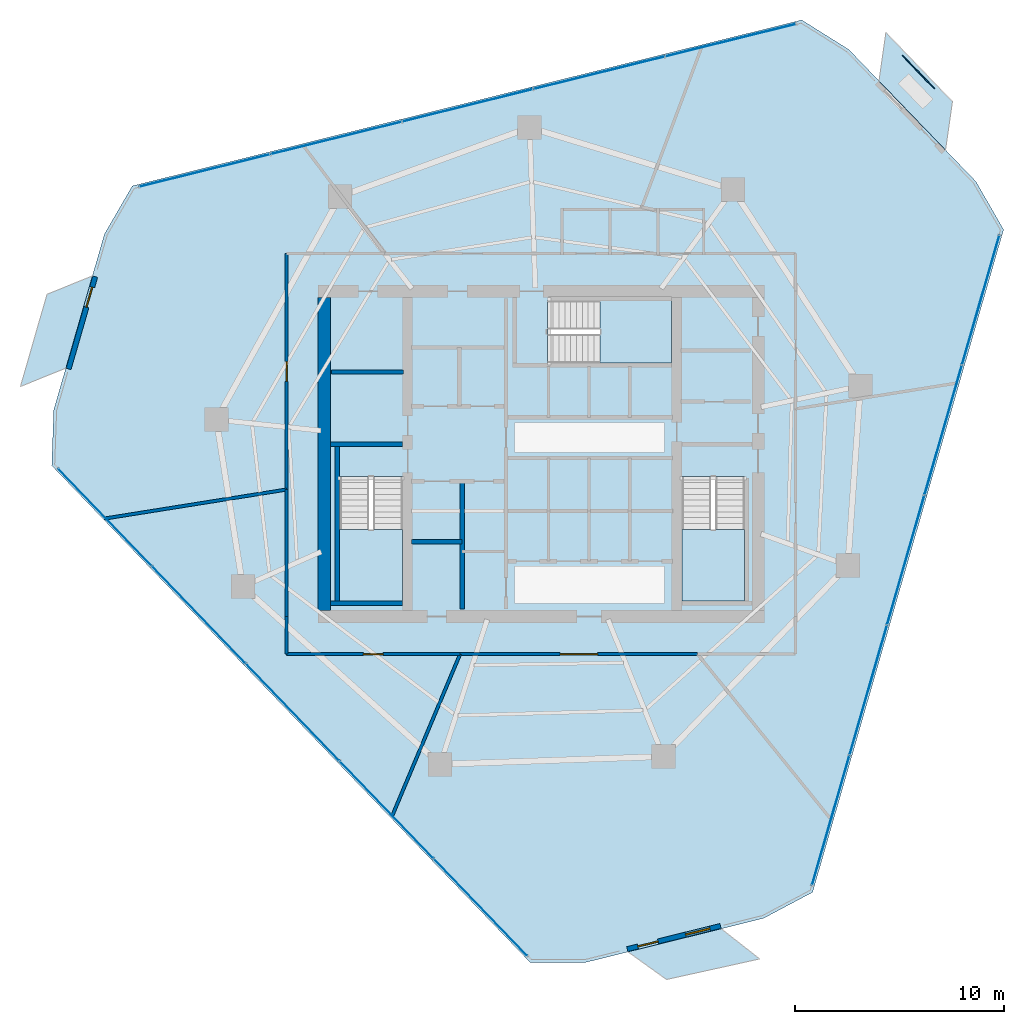
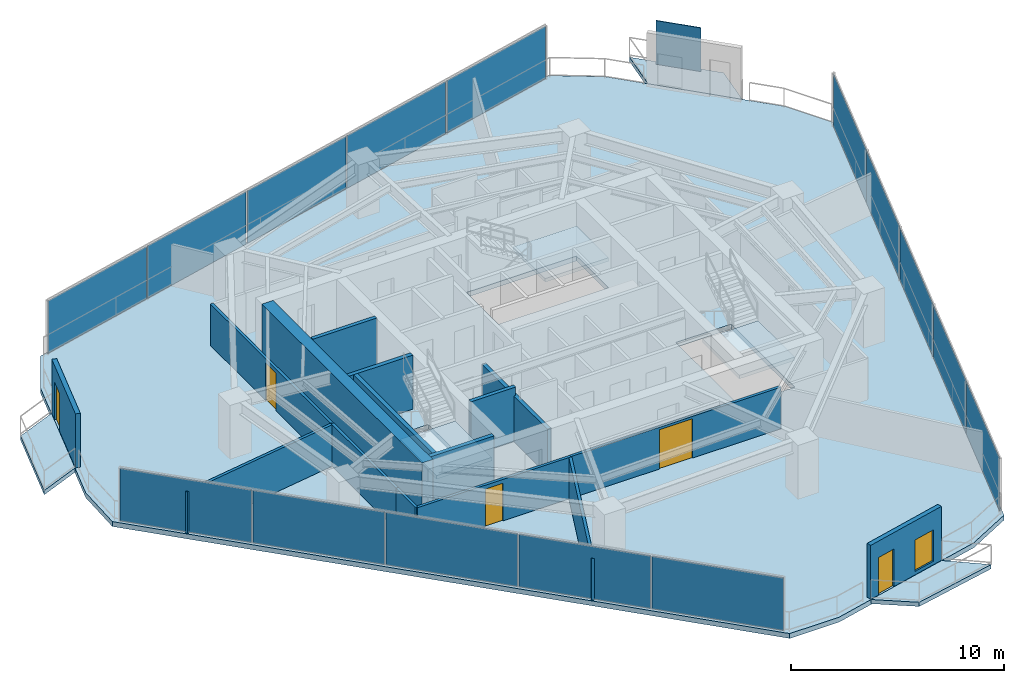
# One storey, part 18 of 23: 16 plates, 16 walls, 7 slabs, 5 doors, 1 window, 6 openings, 6 elements without a shape of their own.
"""IFC4 building model written with IfcOpenShell, lengths in metres."""

from ifc_helpers import new_model, si_unit, direction, frame, frame_2d, origin, origin_2d, place, context, subcontext, project, spatial, polyline, rectangle, outline, extrude, material, layer, layer_set, type_object, element, fill, aggregate, save


model = new_model("IFC4")

# Units and contexts
model_context = context("Model", 3, precision=1e-05, world=origin(), true_north=direction((0.0, 1.0)))
body_context = subcontext(model_context, "Body", "Model", "MODEL_VIEW")
ifc_project = project(units=[si_unit("LENGTHUNIT", "METRE"), si_unit("AREAUNIT", "SQUARE_METRE"), si_unit("VOLUMEUNIT", "CUBIC_METRE"), si_unit("PLANEANGLEUNIT", "RADIAN"), si_unit("MASSUNIT", "GRAM", prefix="KILO")], contexts=[model_context])

# Site, building, storey
site_placement = place(None, origin())
site = spatial("IfcSite", under=ifc_project, at=site_placement, CompositionType="ELEMENT")
building_placement = place(site_placement, origin())
building = spatial("IfcBuilding", under=site, at=building_placement, Name="Qarnah Convention Tower", CompositionType="ELEMENT")
storey_placement = place(building_placement, frame((0.0, 0.0, 117.75)))
storey = spatial("IfcBuildingStorey", under=building, at=storey_placement, Name="L31", CompositionType="ELEMENT", Elevation=117.75)

# Curtain wall, plates
ifc_material_1 = material(Name="Tempered Low-E dark glass", Category="glass")
ifc_layer_1 = layer(ifc_material_1, 0.169921875)
ifc_layer_set_1 = layer_set([ifc_layer_1], Name="Tempered Low-E dark glass")
curtain_wall_type = type_object("IfcCurtainWallType", Name="CWS-02", PredefinedType="NOTDEFINED", material=ifc_layer_set_1)
curtain_wall_1_placement = place(storey_placement, origin())
curtain_wall_1 = element("IfcCurtainWall", 1, at=curtain_wall_1_placement, inside=storey, type_object=curtain_wall_type, Name="L31 unitised curtain wall CW-L31-F1", PredefinedType="NOTDEFINED")
ifc_layer_2 = layer(ifc_material_1, 0.030029296875)
ifc_layer_set_2 = layer_set([ifc_layer_2], Name="Tempered Low-E dark glass")
plate_type_1 = type_object("IfcPlateType", Name="PNL-T2", PredefinedType="CURTAIN_PANEL", material=ifc_layer_set_2)
plate_1_placement = place(storey_placement, frame((21.079345703125, 39.977783203125, 0.0400390625), z_axis=(0.0, 0.0, 1.0), x_axis=(0.970638864728, 0.240541460625, 0.0)))
plate_1 = element("IfcPlate", 2, at=plate_1_placement, type_object=plate_type_1, Name="CW-L31-F1 curtain panel 1.1", PredefinedType="CURTAIN_PANEL", context=body_context, shape_type="SweptSolid", body=[
    extrude(rectangle(XDim=6.4111328125, YDim=0.030029296875, at=origin_2d()), origin(), (0.0, 0.0, 1.0), 3.010009765625),
])
plate_2_placement = place(storey_placement, frame((27.3798828125, 41.5390625, 0.0400390625), z_axis=(0.0, 0.0, 1.0), x_axis=(0.970638864728, 0.240541460625, 0.0)))
plate_2 = element("IfcPlate", 3, at=plate_2_placement, type_object=plate_type_1, Name="CW-L31-F1 curtain panel 2.1", PredefinedType="CURTAIN_PANEL", context=body_context, shape_type="SweptSolid", body=[
    extrude(rectangle(XDim=6.4111328125, YDim=0.030029296875, at=origin_2d()), origin(), (0.0, 0.0, 1.0), 3.010009765625),
])
plate_3_placement = place(storey_placement, frame((33.680419921875, 43.1005859375, 0.0400390625), z_axis=(0.0, 0.0, 1.0), x_axis=(0.970638864728, 0.240541460625, 0.0)))
plate_3 = element("IfcPlate", 4, at=plate_3_placement, type_object=plate_type_1, Name="CW-L31-F1 curtain panel 3.1", PredefinedType="CURTAIN_PANEL", context=body_context, shape_type="SweptSolid", body=[
    extrude(rectangle(XDim=6.4111328125, YDim=0.030029296875, at=origin_2d()), origin(), (0.0, 0.0, 1.0), 3.010009765625),
])
plate_4_placement = place(storey_placement, frame((39.981201171875, 44.661865234375, 0.0400390625), z_axis=(0.0, 0.0, 1.0), x_axis=(0.970638864728, 0.240541460625, 0.0)))
plate_4 = element("IfcPlate", 5, at=plate_4_placement, type_object=plate_type_1, Name="CW-L31-F1 curtain panel 4.1", PredefinedType="CURTAIN_PANEL", context=body_context, shape_type="SweptSolid", body=[
    extrude(rectangle(XDim=6.4111328125, YDim=0.030029296875, at=origin_2d()), origin(), (0.0, 0.0, 1.0), 3.010009765625),
])
plate_5_placement = place(storey_placement, frame((46.28173828125, 46.223388671875, 0.0400390625), z_axis=(0.0, 0.0, 1.0), x_axis=(0.970638864728, 0.240541460625, 0.0)))
plate_5 = element("IfcPlate", 6, at=plate_5_placement, type_object=plate_type_1, Name="CW-L31-F1 curtain panel 5.1", PredefinedType="CURTAIN_PANEL", context=body_context, shape_type="SweptSolid", body=[
    extrude(rectangle(XDim=6.4111328125, YDim=0.030029296875, at=origin_2d()), origin(), (0.0, 0.0, 1.0), 3.010009765625),
])
aggregate(curtain_wall_1, [plate_1, plate_2, plate_3, plate_4, plate_5])

curtain_wall_2_placement = place(storey_placement, origin())
curtain_wall_2 = element("IfcCurtainWall", 7, at=curtain_wall_2_placement, inside=storey, type_object=curtain_wall_type, Name="L31 unitised curtain wall CW-L31-F2", PredefinedType="NOTDEFINED")
plate_6_placement = place(storey_placement, frame((34.30078125, 4.660888671875, 0.0400390625), z_axis=(0.0, 0.0, 1.0), x_axis=(-0.693639313308, 0.720322499324, 0.0)))
plate_6 = element("IfcPlate", 8, at=plate_6_placement, type_object=plate_type_1, Name="CW-L31-F2 curtain panel 1.1", PredefinedType="CURTAIN_PANEL", context=body_context, shape_type="SweptSolid", body=[
    extrude(rectangle(XDim=6.410888671875, YDim=0.030029296875, at=origin_2d()), origin(), (0.0, 0.0, 1.0), 3.010009765625),
])
plate_7_placement = place(storey_placement, frame((29.79833984375, 9.33642578125, 0.0400390625), z_axis=(0.0, 0.0, 1.0), x_axis=(-0.693639313308, 0.720322499324, 0.0)))
plate_7 = element("IfcPlate", 9, at=plate_7_placement, type_object=plate_type_1, Name="CW-L31-F2 curtain panel 2.1", PredefinedType="CURTAIN_PANEL", context=body_context, shape_type="SweptSolid", body=[
    extrude(rectangle(XDim=6.410888671875, YDim=0.030029296875, at=origin_2d()), origin(), (0.0, 0.0, 1.0), 3.010009765625),
])
plate_8_placement = place(storey_placement, frame((25.2958984375, 14.011962890625, 0.0400390625), z_axis=(0.0, 0.0, 1.0), x_axis=(-0.693639313308, 0.720322499324, 0.0)))
plate_8 = element("IfcPlate", 10, at=plate_8_placement, type_object=plate_type_1, Name="CW-L31-F2 curtain panel 3.1", PredefinedType="CURTAIN_PANEL", context=body_context, shape_type="SweptSolid", body=[
    extrude(rectangle(XDim=6.410888671875, YDim=0.030029296875, at=origin_2d()), origin(), (0.0, 0.0, 1.0), 3.010009765625),
])
plate_9_placement = place(storey_placement, frame((20.793701171875, 18.6875, 0.0400390625), z_axis=(0.0, 0.0, 1.0), x_axis=(-0.693639313308, 0.720322499324, 0.0)))
plate_9 = element("IfcPlate", 11, at=plate_9_placement, type_object=plate_type_1, Name="CW-L31-F2 curtain panel 4.1", PredefinedType="CURTAIN_PANEL", context=body_context, shape_type="SweptSolid", body=[
    extrude(rectangle(XDim=6.410888671875, YDim=0.030029296875, at=origin_2d()), origin(), (0.0, 0.0, 1.0), 3.010009765625),
])
plate_10_placement = place(storey_placement, frame((16.291259765625, 23.36328125, 0.0400390625), z_axis=(0.0, 0.0, 1.0), x_axis=(-0.693639313308, 0.720322499324, 0.0)))
plate_10 = element("IfcPlate", 12, at=plate_10_placement, type_object=plate_type_1, Name="CW-L31-F2 curtain panel 5.1", PredefinedType="CURTAIN_PANEL", context=body_context, shape_type="SweptSolid", body=[
    extrude(rectangle(XDim=6.410888671875, YDim=0.030029296875, at=origin_2d()), origin(), (0.0, 0.0, 1.0), 3.010009765625),
])
aggregate(curtain_wall_2, [plate_6, plate_7, plate_8, plate_9, plate_10])

curtain_wall_3_placement = place(storey_placement, origin())
curtain_wall_3 = element("IfcCurtainWall", 13, at=curtain_wall_3_placement, inside=storey, type_object=curtain_wall_type, Name="L31 unitised curtain wall CW-L31-F3", PredefinedType="NOTDEFINED")
plate_11_placement = place(storey_placement, frame((58.275146484375, 33.769287109375, 0.0400390625), z_axis=(0.0, 0.0, 1.0), x_axis=(-0.276962624896, -0.960880692079, 0.0)))
plate_11 = element("IfcPlate", 14, at=plate_11_placement, type_object=plate_type_1, Name="CW-L31-F3 curtain panel 1.1", PredefinedType="CURTAIN_PANEL", context=body_context, shape_type="SweptSolid", body=[
    extrude(rectangle(XDim=6.4111328125, YDim=0.030029296875, at=origin_2d()), origin(), (0.0, 0.0, 1.0), 3.010009765625),
])
plate_12_placement = place(storey_placement, frame((56.477294921875, 27.5322265625, 0.0400390625), z_axis=(0.0, 0.0, 1.0), x_axis=(-0.276962624896, -0.960880692079, 0.0)))
plate_12 = element("IfcPlate", 15, at=plate_12_placement, type_object=plate_type_1, Name="CW-L31-F3 curtain panel 2.1", PredefinedType="CURTAIN_PANEL", context=body_context, shape_type="SweptSolid", body=[
    extrude(rectangle(XDim=6.4111328125, YDim=0.030029296875, at=origin_2d()), origin(), (0.0, 0.0, 1.0), 3.010009765625),
])
plate_13_placement = place(storey_placement, frame((54.679443359375, 21.294921875, 0.0400390625), z_axis=(0.0, 0.0, 1.0), x_axis=(-0.276962624896, -0.960880692079, 0.0)))
plate_13 = element("IfcPlate", 16, at=plate_13_placement, type_object=plate_type_1, Name="CW-L31-F3 curtain panel 3.1", PredefinedType="CURTAIN_PANEL", context=body_context, shape_type="SweptSolid", body=[
    extrude(rectangle(XDim=6.4111328125, YDim=0.030029296875, at=origin_2d()), origin(), (0.0, 0.0, 1.0), 3.010009765625),
])
plate_14_placement = place(storey_placement, frame((52.881591796875, 15.057861328125, 0.0400390625), z_axis=(0.0, 0.0, 1.0), x_axis=(-0.276962624896, -0.960880692079, 0.0)))
plate_14 = element("IfcPlate", 17, at=plate_14_placement, type_object=plate_type_1, Name="CW-L31-F3 curtain panel 4.1", PredefinedType="CURTAIN_PANEL", context=body_context, shape_type="SweptSolid", body=[
    extrude(rectangle(XDim=6.4111328125, YDim=0.030029296875, at=origin_2d()), origin(), (0.0, 0.0, 1.0), 3.010009765625),
])
plate_15_placement = place(storey_placement, frame((51.083984375, 8.820556640625, 0.0400390625), z_axis=(0.0, 0.0, 1.0), x_axis=(-0.276962624896, -0.960880692079, 0.0)))
plate_15 = element("IfcPlate", 18, at=plate_15_placement, type_object=plate_type_1, Name="CW-L31-F3 curtain panel 5.1", PredefinedType="CURTAIN_PANEL", context=body_context, shape_type="SweptSolid", body=[
    extrude(rectangle(XDim=6.4111328125, YDim=0.030029296875, at=origin_2d()), origin(), (0.0, 0.0, 1.0), 3.010009765625),
])
aggregate(curtain_wall_3, [plate_11, plate_12, plate_13, plate_14, plate_15])

# Plate
ifc_material_2 = material(Name="Black anodised aluminium", Category="aluminium")
ifc_layer_3 = layer(ifc_material_2, 0.044921875)
ifc_layer_set_3 = layer_set([ifc_layer_3], Name="Black anodised aluminium")
plate_type_2 = type_object("IfcPlateType", Name="SCR-BAL-18", PredefinedType="USERDEFINED", material=ifc_layer_set_3)
plate_16_placement = place(storey_placement, frame((55.2900390625, 44.697998046875, 0.0), z_axis=(0.0, 0.0, 1.0), x_axis=(0.693613075086, -0.720347764673, 0.0)))
element("IfcPlate", 19, at=plate_16_placement, inside=storey, type_object=plate_type_2, Name="L31 perforated desert solar screen BAL-L31-C1", ObjectType="SCREEN", PredefinedType="USERDEFINED", context=body_context, shape_type="SweptSolid", body=[
    extrude(rectangle(XDim=2.199951171875, YDim=0.044921875, at=origin_2d()), origin(), (0.0, 0.0, 1.0), 2.5),
])

# Slabs
ifc_material_3 = material(Name="Concrete C45/55", Category="concrete")
ifc_layer_4 = layer(ifc_material_3, 0.239990234375)
ifc_layer_set_4 = layer_set([ifc_layer_4], Name="Concrete C45/55")
slab_type_1 = type_object("IfcSlabType", Name="SLB-BAL-240", PredefinedType="USERDEFINED", material=ifc_layer_set_4)
slab_1_placement = place(storey_placement, frame((0.0, 0.0, -0.239990234375)))
element("IfcSlab", 20, at=slab_1_placement, inside=storey, type_object=slab_type_1, Name="L31 cantilevered balcony slab BAL-L31-C1", ObjectType="BALCONY", PredefinedType="USERDEFINED", context=body_context, shape_type="SweptSolid", body=[
    extrude(outline(polyline([(53.72802734375, 46.593017578125), (56.9189453125, 43.279052734375), (56.589111328125, 40.95703125), (53.39794921875, 44.27001953125), (53.72802734375, 46.593017578125)])), origin(), (0.0, 0.0, 1.0), 0.239990234375),
])
slab_2_placement = place(storey_placement, frame((0.0, 0.0, -0.239990234375)))
element("IfcSlab", 21, at=slab_2_placement, inside=storey, type_object=slab_type_1, Name="L31 cantilevered balcony slab BAL-L31-C2", ObjectType="BALCONY", PredefinedType="USERDEFINED", context=body_context, shape_type="SweptSolid", body=[
    extrude(outline(polyline([(12.2470703125, 29.6279296875), (13.52099609375, 34.048095703125), (15.697998046875, 34.925048828125), (14.424072265625, 30.50390625), (12.2470703125, 29.6279296875)])), origin(), (0.0, 0.0, 1.0), 0.239990234375),
])
slab_3_placement = place(storey_placement, frame((0.0, 0.0, -0.239990234375)))
element("IfcSlab", 22, at=slab_3_placement, inside=storey, type_object=slab_type_1, Name="L31 cantilevered balcony slab BAL-L31-C3", ObjectType="BALCONY", PredefinedType="USERDEFINED", context=body_context, shape_type="SweptSolid", body=[
    extrude(outline(polyline([(47.678955078125, 2.18701171875), (43.214111328125, 1.199951171875), (41.366943359375, 2.528076171875), (45.83203125, 3.634033203125), (47.678955078125, 2.18701171875)])), origin(), (0.0, 0.0, 1.0), 0.239990234375),
])

# Stair, slab
ifc_material_4 = material(Name="Concrete C50/60", Category="concrete")
stair_type = type_object("IfcStairType", Name="STR-HTL", PredefinedType="HALF_TURN_STAIR", material=ifc_material_4)
stair_1_placement = place(storey_placement, origin())
stair_1 = element("IfcStair", 23, at=stair_1_placement, inside=storey, type_object=stair_type, Name="L31 Core exit stair ST-1", PredefinedType="HALF_TURN_STAIR")
ifc_layer_5 = layer(ifc_material_4, 0.199951171875)
ifc_layer_set_5 = layer_set([ifc_layer_5], Name="Concrete C50/60")
slab_type_2 = type_object("IfcSlabType", Name="SLB-LANDING-200", PredefinedType="LANDING", material=ifc_layer_set_5)
slab_4_placement = place(storey_placement, frame((0.0, 0.0, 1.52490234375)))
slab_4 = element("IfcSlab", 24, at=slab_4_placement, type_object=slab_type_2, Name="ST-1 landing 1", PredefinedType="LANDING", context=body_context, shape_type="SweptSolid", body=[
    extrude(outline(polyline([(27.550048828125, 22.780029296875), (27.550048828125, 19.35009765625), (30.550048828125, 19.35009765625), (30.550048828125, 22.780029296875), (27.550048828125, 22.780029296875)])), origin(), (0.0, 0.0, 1.0), 0.2001953125),
])
aggregate(stair_1, [slab_4])

stair_2_placement = place(storey_placement, origin())
stair_2 = element("IfcStair", 25, at=stair_2_placement, inside=storey, type_object=stair_type, Name="L31 Core exit stair ST-2", PredefinedType="HALF_TURN_STAIR")
slab_5_placement = place(storey_placement, frame((0.0, 0.0, 1.52490234375)))
slab_5 = element("IfcSlab", 26, at=slab_5_placement, type_object=slab_type_2, Name="ST-2 landing 1", PredefinedType="LANDING", context=body_context, shape_type="SweptSolid", body=[
    extrude(outline(polyline([(43.949951171875, 22.780029296875), (43.949951171875, 19.35009765625), (46.949951171875, 19.35009765625), (46.949951171875, 22.780029296875), (43.949951171875, 22.780029296875)])), origin(), (0.0, 0.0, 1.0), 0.2001953125),
])
aggregate(stair_2, [slab_5])

stair_3_placement = place(storey_placement, origin())
stair_3 = element("IfcStair", 27, at=stair_3_placement, inside=storey, type_object=stair_type, Name="L31 Core exit stair ST-3", PredefinedType="HALF_TURN_STAIR")
slab_6_placement = place(storey_placement, frame((0.0, 0.0, 1.52490234375)))
slab_6 = element("IfcSlab", 28, at=slab_6_placement, type_object=slab_type_2, Name="ST-3 landing 1", PredefinedType="LANDING", context=body_context, shape_type="SweptSolid", body=[
    extrude(outline(polyline([(40.02001953125, 30.75), (43.449951171875, 30.75), (43.449951171875, 33.75), (40.02001953125, 33.75), (40.02001953125, 30.75)])), origin(), (0.0, 0.0, 1.0), 0.2001953125),
])
aggregate(stair_3, [slab_6])

# Slab
ifc_layer_6 = layer(ifc_material_3, 0.280029296875)
ifc_layer_set_6 = layer_set([ifc_layer_6], Name="Concrete C45/55")
slab_type_3 = type_object("IfcSlabType", Name="SLB-TWR-280", PredefinedType="FLOOR", material=ifc_layer_set_6)
slab_7_placement = place(storey_placement, frame((0.0, 0.0, -0.280029296875)))
element("IfcSlab", 29, at=slab_7_placement, inside=storey, type_object=slab_type_3, Name="L31 structural floor slab", PredefinedType="FLOOR", context=body_context, shape_type="SweptSolid", body=[
    extrude(outline(polyline([(49.694091796875, 47.193115234375), (17.60888671875, 39.240966796875), (16.27294921875, 36.93408203125), (13.841064453125, 28.498046875), (13.7451171875, 25.833984375), (36.674072265625, 2.02392578125), (39.339111328125, 2.02099609375), (47.861083984375, 4.133056640625), (50.217041015625, 5.381103515625), (59.3720703125, 37.14306640625), (58.04296875, 39.452880859375), (51.951904296875, 45.777099609375), (49.694091796875, 47.193115234375)]), holes=[polyline([(27.550048828125, 25.300048828125), (27.550048828125, 19.35009765625), (30.550048828125, 19.35009765625), (30.550048828125, 25.300048828125), (27.550048828125, 25.300048828125)]), polyline([(43.949951171875, 25.300048828125), (43.949951171875, 19.35009765625), (46.949951171875, 19.35009765625), (46.949951171875, 25.300048828125), (43.949951171875, 25.300048828125)]), polyline([(37.5, 30.75), (43.449951171875, 30.75), (43.449951171875, 33.75), (37.5, 33.75), (37.5, 30.75)])]), origin(), (0.0, 0.0, 1.0), 0.280029296875),
])

# Walls
ifc_material_5 = material(Name="Concrete C60/75", Category="concrete")
ifc_layer_7 = layer(ifc_material_5, 0.60009765625)
ifc_layer_set_7 = layer_set([ifc_layer_7], Name="Concrete C60/75")
wall_type_1 = type_object("IfcWallType", Name="WL-CORE-600", PredefinedType="SHEAR", material=ifc_layer_set_7)
wall_1_placement = place(storey_placement, frame((26.800048828125, 18.89990234375, 0.0), z_axis=(0.0, 0.0, 1.0), x_axis=(0.0, 1.0, 0.0)))
element("IfcWall", 30, at=wall_1_placement, inside=storey, type_object=wall_type_1, Name="L31 core west shear wall", PredefinedType="SHEAR", context=body_context, shape_type="SweptSolid", body=[
    extrude(rectangle(XDim=15.0, YDim=0.60009765625, at=frame_2d((7.5, 0.0))), origin(), (0.0, 0.0, 1.0), 3.090087890625),
])
ifc_layer_8 = layer(ifc_material_3, 0.199951171875)
ifc_layer_set_8 = layer_set([ifc_layer_8], Name="Concrete C45/55")
wall_type_2 = type_object("IfcWallType", Name="WL-CORE-PART-200", PredefinedType="SOLIDWALL", material=ifc_layer_set_8)
wall_2_placement = place(storey_placement, frame((27.14990234375, 30.320068359375, 0.0), z_axis=(0.0, 0.0, 1.0), x_axis=(1.0, 0.0, 0.0)))
element("IfcWall", 31, at=wall_2_placement, inside=storey, type_object=wall_type_2, Name="L31 interior wall IW-L31-ELRN", PredefinedType="SOLIDWALL", context=body_context, shape_type="SweptSolid", body=[
    extrude(rectangle(XDim=3.4501953125, YDim=0.199951171875, at=frame_2d((1.72509765625, 0.0))), origin(), (0.0, 0.0, 1.0), 3.090087890625),
])
wall_3_placement = place(storey_placement, frame((33.419921875, 18.949951171875, 0.0), z_axis=(0.0, 0.0, 1.0), x_axis=(0.0, 1.0, 0.0)))
element("IfcWall", 32, at=wall_3_placement, inside=storey, type_object=wall_type_2, Name="L31 interior wall IW-L31-SVLE", PredefinedType="SOLIDWALL", context=body_context, shape_type="SweptSolid", body=[
    extrude(rectangle(XDim=6.130126953125, YDim=0.199951171875, at=frame_2d((3.06494140625, 0.0))), origin(), (0.0, 0.0, 1.0), 2.611083984375),
])
wall_4_placement = place(storey_placement, frame((31.0, 22.179931640625, 0.0), z_axis=(0.0, 0.0, 1.0), x_axis=(1.0, 0.0, 0.0)))
element("IfcWall", 33, at=wall_4_placement, inside=storey, type_object=wall_type_2, Name="L31 interior wall IW-L31-SVLS", PredefinedType="SOLIDWALL", context=body_context, shape_type="SweptSolid", body=[
    extrude(rectangle(XDim=2.419921875, YDim=0.199951171875, at=frame_2d((1.2099609375, 0.0))), origin(), (0.0, 0.0, 1.0), 3.090087890625),
])
ifc_layer_9 = layer(ifc_material_5, 0.219970703125)
ifc_layer_set_9 = layer_set([ifc_layer_9], Name="Concrete C60/75")
wall_type_3 = type_object("IfcWallType", Name="WL-CORE-STAIR-220", PredefinedType="SHEAR", material=ifc_layer_set_9)
wall_5_placement = place(storey_placement, frame((27.10009765625, 26.860107421875, 0.0), z_axis=(0.0, 0.0, 1.0), x_axis=(1.0, 0.0, 0.0)))
element("IfcWall", 34, at=wall_5_placement, inside=storey, type_object=wall_type_3, Name="L31 stair shaft shear wall SW-L31-ST1N", PredefinedType="SHEAR", context=body_context, shape_type="SweptSolid", body=[
    extrude(rectangle(XDim=3.449951171875, YDim=0.219970703125, at=frame_2d((1.72509765625, 0.0))), origin(), (0.0, 0.0, 1.0), 3.090087890625),
])
wall_6_placement = place(storey_placement, frame((27.43994140625, 19.35009765625, 0.0), z_axis=(0.0, 0.0, 1.0), x_axis=(0.0, 1.0, 0.0)))
element("IfcWall", 35, at=wall_6_placement, inside=storey, type_object=wall_type_3, Name="L31 stair shaft shear wall SW-L31-ST1W", PredefinedType="SHEAR", context=body_context, shape_type="SweptSolid", body=[
    extrude(rectangle(XDim=7.39990234375, YDim=0.219970703125, at=frame_2d((3.699951171875, 0.0))), origin(), (0.0, 0.0, 1.0), 3.090087890625),
])
wall_7_placement = place(storey_placement, frame((27.10009765625, 19.239990234375, 0.0), z_axis=(0.0, 0.0, 1.0), x_axis=(1.0, 0.0, 0.0)))
element("IfcWall", 36, at=wall_7_placement, inside=storey, type_object=wall_type_3, Name="L31 stair shaft shear wall SW-L31-ST1S", PredefinedType="SHEAR", context=body_context, shape_type="SweptSolid", body=[
    extrude(rectangle(XDim=3.449951171875, YDim=0.219970703125, at=frame_2d((1.72509765625, 0.0))), origin(), (0.0, 0.0, 1.0), 3.090087890625),
])

# Wall, opening, door
ifc_material_6 = material(Name="Precast concrete C45/55", Category="concrete")
ifc_layer_10 = layer(ifc_material_6, 0.239990234375)
ifc_layer_set_10 = layer_set([ifc_layer_10], Name="Precast concrete C45/55")
wall_type_4 = type_object("IfcWallType", Name="WL-EXT-BAL-240", PredefinedType="SOLIDWALL", material=ifc_layer_set_10)
wall_8_placement = place(storey_placement, frame((14.554931640625, 30.467041015625, 0.0), z_axis=(0.0, 0.0, 1.0), x_axis=(0.276998577349, 0.960870328477, 0.0)))
wall_8 = element("IfcWall", 37, at=wall_8_placement, inside=storey, type_object=wall_type_4, Name="L31 loggia threshold wall BAL-L31-C2", PredefinedType="SOLIDWALL", context=body_context, shape_type="SweptSolid", body=[
    extrude(rectangle(XDim=4.599853515625, YDim=0.239990234375, at=frame_2d((2.2998046875, 0.0))), origin(), (0.0, 0.0, 1.0), 3.090087890625),
])
opening_1_placement = place(wall_8_placement, frame((3.080078125, 0.0, 0.0)))
opening_1 = element("IfcOpeningElement", 38, at=opening_1_placement, cuts=wall_8, Name="Opening BD-3102", PredefinedType="OPENING", context=body_context, shape_type="SweptSolid", body=[
    extrude(rectangle(XDim=1.0, YDim=2.14990234375, at=frame_2d((0.5, 1.074951171875))), frame((0.0, 0.1298828125, 0.0), z_axis=(0.0, -1.0, 0.0), x_axis=(1.0, 0.0, 0.0)), (0.0, 0.0, 1.0), 0.260009765625),
])
door_type_1 = type_object("IfcDoorType", Name="DT-BAL-1000", OperationType="NOTDEFINED", PredefinedType="DOOR", material=ifc_material_2)
door_1_placement = place(opening_1_placement, origin())
door_1 = element("IfcDoor", 39, at=door_1_placement, inside=storey, type_object=door_type_1, Name="L31 balcony terrace door BAL-L31-C2", OperationType="SINGLE_SWING_LEFT", OverallHeight=2.14990234375, OverallWidth=1.0, PredefinedType="DOOR", context=body_context, shape_type="SweptSolid", body=[
    extrude(rectangle(XDim=1.0, YDim=2.14990234375, at=frame_2d((0.5, 1.074951171875))), frame((0.0, 0.02490234375, 0.0), z_axis=(0.0, -1.0, 0.0), x_axis=(1.0, 0.0, 0.0)), (0.0, 0.0, 1.0), 0.050048828125),
])
fill(opening_1, door_1)

# Wall, openings, door, window
wall_9_placement = place(storey_placement, frame((45.799072265625, 3.76611328125, 0.0), z_axis=(0.0, 0.0, 1.0), x_axis=(-0.970605863057, -0.240674590681, 0.0)))
wall_9 = element("IfcWall", 40, at=wall_9_placement, inside=storey, type_object=wall_type_4, Name="L31 loggia threshold wall BAL-L31-C3", PredefinedType="SOLIDWALL", context=body_context, shape_type="SweptSolid", body=[
    extrude(rectangle(XDim=4.600341796875, YDim=0.239990234375, at=frame_2d((2.30029296875, 0.0))), origin(), (0.0, 0.0, 1.0), 3.090087890625),
])
opening_2_placement = place(wall_9_placement, frame((3.080078125, 0.0, 0.0)))
opening_2 = element("IfcOpeningElement", 41, at=opening_2_placement, cuts=wall_9, Name="Opening BD-3103", PredefinedType="OPENING", context=body_context, shape_type="SweptSolid", body=[
    extrude(rectangle(XDim=1.0, YDim=2.14990234375, at=frame_2d((0.5, 1.074951171875))), frame((0.0, 0.1298828125, 0.0), z_axis=(0.0, -1.0, 0.0), x_axis=(1.0, 0.0, 0.0)), (0.0, 0.0, 1.0), 0.260009765625),
])
opening_3_placement = place(wall_9_placement, frame((0.52001953125, 0.0, 0.199951171875)))
opening_3 = element("IfcOpeningElement", 42, at=opening_3_placement, cuts=wall_9, Name="Opening WN5", PredefinedType="OPENING", context=body_context, shape_type="SweptSolid", body=[
    extrude(rectangle(XDim=1.199951171875, YDim=1.800048828125, at=frame_2d((0.60009765625, 0.89990234375))), frame((0.0, 0.1298828125, 0.0), z_axis=(0.0, -1.0, 0.0), x_axis=(1.0, 0.0, 0.0)), (0.0, 0.0, 1.0), 0.260009765625),
])
door_2_placement = place(opening_2_placement, origin())
door_2 = element("IfcDoor", 43, at=door_2_placement, inside=storey, type_object=door_type_1, Name="L31 balcony terrace door BAL-L31-C3", OperationType="SINGLE_SWING_RIGHT", OverallHeight=2.14990234375, OverallWidth=1.0, PredefinedType="DOOR", context=body_context, shape_type="SweptSolid", body=[
    extrude(rectangle(XDim=1.0, YDim=2.14990234375, at=frame_2d((0.5, 1.074951171875))), frame((0.0, 0.02490234375, 0.0), z_axis=(0.0, -1.0, 0.0), x_axis=(1.0, 0.0, 0.0)), (0.0, 0.0, 1.0), 0.050048828125),
])
fill(opening_2, door_2)
window_type = type_object("IfcWindowType", Name="WT-BAL-1200X1800", PartitioningType="SINGLE_PANEL", PredefinedType="WINDOW", material=ifc_material_1)
window_placement = place(opening_3_placement, origin())
window = element("IfcWindow", 44, at=window_placement, inside=storey, type_object=window_type, Name="Window BW-BAL-L31-C3", OverallHeight=1.800048828125, OverallWidth=1.199951171875, PartitioningType="SINGLE_PANEL", PredefinedType="WINDOW", context=body_context, shape_type="SweptSolid", body=[
    extrude(rectangle(XDim=1.199951171875, YDim=1.800048828125, at=frame_2d((0.60009765625, 0.89990234375))), frame((0.0, 0.030029296875, 0.0), z_axis=(0.0, -1.0, 0.0), x_axis=(1.0, 0.0, 0.0)), (0.0, 0.0, 1.0), 0.06005859375),
])
fill(opening_3, window)

# Wall
ifc_material_7 = material(Name="Gypsum partition board")
ifc_layer_11 = layer(ifc_material_7, 0.14990234375)
ifc_layer_set_11 = layer_set([ifc_layer_11], Name="Gypsum partition board")
wall_type_5 = type_object("IfcWallType", Name="WL-SUITE-150", PredefinedType="PARTITIONING", material=ifc_layer_set_11)
wall_10_placement = place(storey_placement, frame((16.281005859375, 23.294921875, 0.0), z_axis=(0.0, 0.0, 1.0), x_axis=(0.987527105535, 0.157449089657, 0.0)))
element("IfcWall", 45, at=wall_10_placement, inside=storey, type_object=wall_type_5, Name="L31 interior wall IW-L31-R-19", PredefinedType="PARTITIONING", context=body_context, shape_type="SweptSolid", body=[
    extrude(rectangle(XDim=8.8291015625, YDim=0.14990234375, at=frame_2d((4.41455078125, 0.0))), origin(), (0.0, 0.0, 1.0), 2.375),
])

# Wall, opening, door
wall_11_placement = place(storey_placement, frame((25.0, 24.68505859375, 0.0), z_axis=(0.0, 0.0, 1.0), x_axis=(0.0, 1.0, 0.0)))
wall_11 = element("IfcWall", 46, at=wall_11_placement, inside=storey, type_object=wall_type_5, Name="L31 interior wall IW-L31-R-20", PredefinedType="PARTITIONING", context=body_context, shape_type="SweptSolid", body=[
    extrude(rectangle(XDim=11.31494140625, YDim=0.14990234375, at=frame_2d((5.657470703125, 0.0))), origin(), (0.0, 0.0, 1.0), 2.375),
])
opening_4_placement = place(wall_11_placement, frame((5.18310546875, 0.0, 0.0)))
opening_4 = element("IfcOpeningElement", 47, at=opening_4_placement, cuts=wall_11, Name="Opening D-3121", PredefinedType="OPENING", context=body_context, shape_type="SweptSolid", body=[
    extrude(rectangle(XDim=0.949951171875, YDim=2.14990234375, at=frame_2d((0.47509765625, 1.074951171875))), frame((0.0, 0.0849609375, 0.0), z_axis=(0.0, -1.0, 0.0), x_axis=(1.0, 0.0, 0.0)), (0.0, 0.0, 1.0), 0.169921875),
])
ifc_material_8 = material(Name="Oak timber veneer", Category="wood")
door_type_2 = type_object("IfcDoorType", Name="DT-HOTEL-950", OperationType="NOTDEFINED", PredefinedType="DOOR", material=ifc_material_8)
door_3_placement = place(opening_4_placement, origin())
door_3 = element("IfcDoor", 48, at=door_3_placement, inside=storey, type_object=door_type_2, Name="Door D-3121", OperationType="SINGLE_SWING_LEFT", OverallHeight=2.14990234375, OverallWidth=0.949951171875, PredefinedType="DOOR", context=body_context, shape_type="SweptSolid", body=[
    extrude(rectangle(XDim=0.949951171875, YDim=2.14990234375, at=frame_2d((0.47509765625, 1.074951171875))), frame((0.0, 0.02490234375, 0.0), z_axis=(0.0, -1.0, 0.0), x_axis=(1.0, 0.0, 0.0)), (0.0, 0.0, 1.0), 0.050048828125),
])
fill(opening_4, door_3)

# Wall
wall_12_placement = place(storey_placement, frame((30.051025390625, 9.008056640625, 0.0), z_axis=(0.0, 0.0, 1.0), x_axis=(0.386969195842, 0.922092642563, 0.0)))
element("IfcWall", 49, at=wall_12_placement, inside=storey, type_object=wall_type_5, Name="L31 interior wall IW-L31-R-23", PredefinedType="PARTITIONING", context=body_context, shape_type="SweptSolid", body=[
    extrude(rectangle(XDim=8.450439453125, YDim=0.14990234375, at=frame_2d((4.22509765625, 0.0))), origin(), (0.0, 0.0, 1.0), 2.375),
])

# Wall, opening, door
wall_13_placement = place(storey_placement, frame((33.321044921875, 16.800048828125, 0.0), z_axis=(0.0, 0.0, 1.0), x_axis=(-1.0, 0.0, 0.0)))
wall_13 = element("IfcWall", 50, at=wall_13_placement, inside=storey, type_object=wall_type_5, Name="L31 interior wall IW-L31-R-24", PredefinedType="PARTITIONING", context=body_context, shape_type="SweptSolid", body=[
    extrude(rectangle(XDim=8.321044921875, YDim=0.14990234375, at=frame_2d((4.16064453125, 0.0))), origin(), (0.0, 0.0, 1.0), 2.375),
])
opening_5_placement = place(wall_13_placement, frame((3.68505859375, 0.0, 0.0)))
opening_5 = element("IfcOpeningElement", 51, at=opening_5_placement, cuts=wall_13, Name="Opening D-3122", PredefinedType="OPENING", context=body_context, shape_type="SweptSolid", body=[
    extrude(rectangle(XDim=0.949951171875, YDim=2.14990234375, at=frame_2d((0.47509765625, 1.074951171875))), frame((0.0, 0.0849609375, 0.0), z_axis=(0.0, -1.0, 0.0), x_axis=(1.0, 0.0, 0.0)), (0.0, 0.0, 1.0), 0.169921875),
])
door_4_placement = place(opening_5_placement, origin())
door_4 = element("IfcDoor", 52, at=door_4_placement, inside=storey, type_object=door_type_2, Name="Door D-3122", OperationType="SINGLE_SWING_RIGHT", OverallHeight=2.14990234375, OverallWidth=0.949951171875, PredefinedType="DOOR", context=body_context, shape_type="SweptSolid", body=[
    extrude(rectangle(XDim=0.949951171875, YDim=2.14990234375, at=frame_2d((0.47509765625, 1.074951171875))), frame((0.0, 0.02490234375, 0.0), z_axis=(0.0, -1.0, 0.0), x_axis=(1.0, 0.0, 0.0)), (0.0, 0.0, 1.0), 0.050048828125),
])
fill(opening_5, door_4)

# Walls
wall_14_placement = place(storey_placement, frame((25.0, 16.800048828125, 0.0), z_axis=(0.0, 0.0, 1.0), x_axis=(0.0, 1.0, 0.0)))
element("IfcWall", 53, at=wall_14_placement, inside=storey, type_object=wall_type_5, Name="L31 interior wall IW-L31-R-25", PredefinedType="PARTITIONING", context=body_context, shape_type="SweptSolid", body=[
    extrude(rectangle(XDim=1.800048828125, YDim=0.14990234375, at=frame_2d((0.89990234375, 0.0))), origin(), (0.0, 0.0, 1.0), 2.375),
])
wall_15_placement = place(storey_placement, frame((25.0, 18.60009765625, 0.0), z_axis=(0.0, 0.0, 1.0), x_axis=(0.0, 1.0, 0.0)))
element("IfcWall", 54, at=wall_15_placement, inside=storey, type_object=wall_type_5, Name="L31 interior wall IW-L31-R-26", PredefinedType="PARTITIONING", context=body_context, shape_type="SweptSolid", body=[
    extrude(rectangle(XDim=6.0849609375, YDim=0.14990234375, at=frame_2d((3.04248046875, 0.0))), origin(), (0.0, 0.0, 1.0), 2.386962890625),
])

# Wall, opening, door
wall_16_placement = place(storey_placement, frame((44.699951171875, 16.800048828125, 0.0), z_axis=(0.0, 0.0, 1.0), x_axis=(-1.0, 0.0, 0.0)))
wall_16 = element("IfcWall", 55, at=wall_16_placement, inside=storey, type_object=wall_type_5, Name="L31 interior wall IW-L31-R-28", PredefinedType="PARTITIONING", context=body_context, shape_type="SweptSolid", body=[
    extrude(rectangle(XDim=11.37890625, YDim=0.14990234375, at=frame_2d((5.689453125, 0.0))), origin(), (0.0, 0.0, 1.0), 2.386962890625),
])
opening_6_placement = place(wall_16_placement, frame((4.7900390625, 0.0, 0.0)))
opening_6 = element("IfcOpeningElement", 56, at=opening_6_placement, cuts=wall_16, Name="Opening D-3123", PredefinedType="OPENING", context=body_context, shape_type="SweptSolid", body=[
    extrude(rectangle(XDim=1.800048828125, YDim=2.25, at=frame_2d((0.89990234375, 1.125))), frame((0.0, 0.0849609375, 0.0), z_axis=(0.0, -1.0, 0.0), x_axis=(1.0, 0.0, 0.0)), (0.0, 0.0, 1.0), 0.169921875),
])
door_type_3 = type_object("IfcDoorType", Name="DT-HALL-DBL-1800", OperationType="DOUBLE_DOOR_SINGLE_SWING", PredefinedType="DOOR", material=ifc_material_2)
door_5_placement = place(opening_6_placement, origin())
door_5 = element("IfcDoor", 57, at=door_5_placement, inside=storey, type_object=door_type_3, Name="Door D-3123", OperationType="DOUBLE_DOOR_SINGLE_SWING", OverallHeight=2.25, OverallWidth=1.800048828125, PredefinedType="DOOR", context=body_context, shape_type="SweptSolid", body=[
    extrude(rectangle(XDim=1.800048828125, YDim=2.25, at=frame_2d((0.89990234375, 1.125))), frame((0.0, 0.02490234375, 0.0), z_axis=(0.0, -1.0, 0.0), x_axis=(1.0, 0.0, 0.0)), (0.0, 0.0, 1.0), 0.050048828125),
])
fill(opening_6, door_5)

save(model, "model.ifc")
